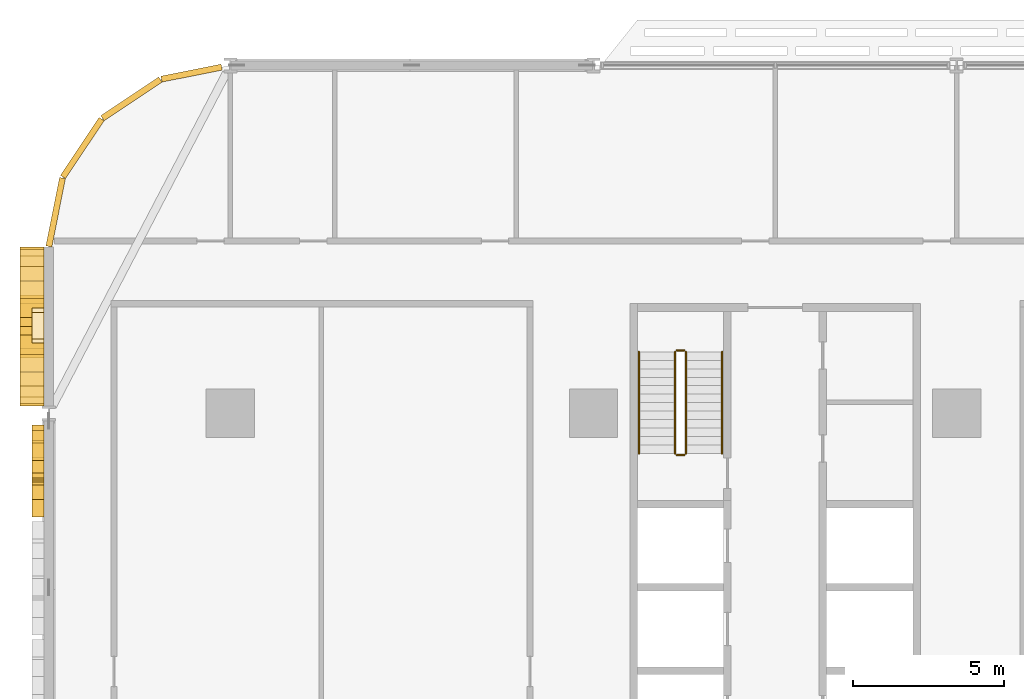
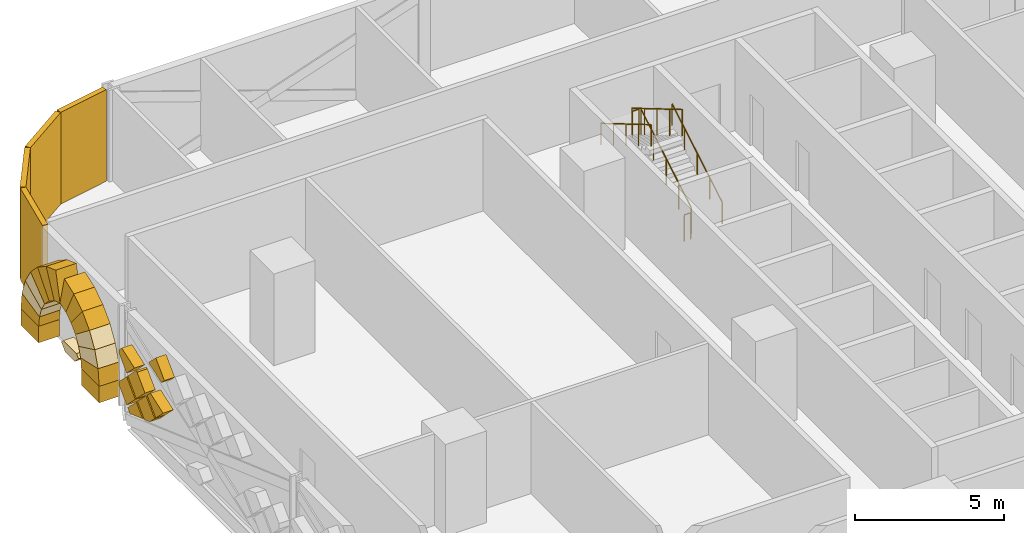
# One storey, part 25 of 29: 26 coverings, 6 railings.
"""IFC4 building model written with IfcOpenShell, lengths in metres."""

from ifc_helpers import new_model, si_unit, direction, frame, origin, origin_2d, place, context, subcontext, project, spatial, polyline, rectangle, circle, outline, extrude, material, layer, layer_set, type_object, element, save


model = new_model("IFC4")

# Units and contexts
model_context = context("Model", 3, precision=1e-05, world=origin(), true_north=direction((0.0, 1.0)))
body_context = subcontext(model_context, "Body", "Model", "MODEL_VIEW")
ifc_project = project(units=[si_unit("LENGTHUNIT", "METRE"), si_unit("AREAUNIT", "SQUARE_METRE"), si_unit("VOLUMEUNIT", "CUBIC_METRE"), si_unit("PLANEANGLEUNIT", "RADIAN"), si_unit("MASSUNIT", "GRAM", prefix="KILO")], contexts=[model_context])

# Site, building, storey
site_placement = place(None, origin())
site = spatial("IfcSite", under=ifc_project, at=site_placement, CompositionType="ELEMENT")
building_placement = place(site_placement, origin())
building = spatial("IfcBuilding", under=site, at=building_placement, Name="Mahtab Terrace Research Tower", CompositionType="ELEMENT")
storey_placement = place(building_placement, frame((0.0, 0.0, 37.300048828125)))
storey = spatial("IfcBuildingStorey", under=building, at=storey_placement, Name="L08", CompositionType="ELEMENT", Elevation=37.300048828125)

# Coverings
ifc_material_1 = material(Name="Black aluminium cladding panel", Category="aluminium")
ifc_layer_1 = layer(ifc_material_1, 0.199951171875)
ifc_layer_set_1 = layer_set([ifc_layer_1], Name="Black metal corner cladding 200")
covering_type_1 = type_object("IfcCoveringType", Name="Black metal corner cladding 200", PredefinedType="CLADDING", material=ifc_layer_set_1)
covering_1_placement = place(storey_placement, frame((-43.28173828125, 22.744873046875, 0.0), z_axis=(0.0, 0.0, 1.0), x_axis=(-0.980760981187, -0.195212442692, 0.0)))
element("IfcCovering", 1, at=covering_1_placement, inside=storey, type_object=covering_type_1, Name="Corner cladding L08 10", PredefinedType="CLADDING", context=body_context, shape_type="SweptSolid", body=[
    extrude(rectangle(XDim=2.0283203125, YDim=0.199951171875, at=origin_2d()), origin(), (0.0, 0.0, 1.0), 3.75),
])
for number, where, z_axis, x_axis, name in (
    (2, (-45.26953125, 21.89306640625, 0.0), (0.0, 0.0, 1.0), (-0.831655794326, -0.555291490808, 0.0), "Corner cladding L08 11"),
    (3, (-46.89306640625, 20.26953125, 0.0), (0.0, 0.0, 1.0), (-0.555291490808, -0.831655794326, 0.0), "Corner cladding L08 12"),
    (4, (-47.771484375, 18.14794921875, 0.0), (0.0, 0.0, 1.0), (-0.195212442692, -0.980760981187, 0.0), "Corner cladding L08 13"),
):
    element("IfcCovering", number, at=place(storey_placement, frame(where, z_axis=z_axis, x_axis=x_axis)), inside=storey, type_object=covering_type_1, Name=name, PredefinedType="CLADDING", context=body_context, shape_type="SweptSolid", body=[
        extrude(rectangle(XDim=2.30126953125, YDim=0.199951171875, at=origin_2d()), origin(), (0.0, 0.0, 1.0), 3.75),
    ])
ifc_material_2 = material(Name="Bronze anodised aluminium", Category="aluminium")
ifc_layer_2 = layer(ifc_material_2, 0.39990234375)
ifc_layer_set_2 = layer_set([ifc_layer_2], Name="Mashrabiya relief panel 400")
covering_type_2 = type_object("IfcCoveringType", Name="Mashrabiya relief panel 400", PredefinedType="CLADDING", material=ifc_layer_set_2)
covering_2_placement = place(storey_placement, frame((-48.14990234375, 14.97998046875, 0.39990234375), z_axis=(1.0, 0.0, 0.0), x_axis=(0.0, -0.707106781187, 0.707106781187)))
element("IfcCovering", 5, at=covering_2_placement, inside=storey, type_object=covering_type_2, Name="Mashrabiya lattice cell L08 W14.1", PredefinedType="CLADDING", context=body_context, shape_type="SweptSolid", body=[
    extrude(outline(polyline([(0.0, 0.0), (0.19369477746369784, 0.0), (0.820181718119455, 0.626486940655757), (0.820181718119455, 0.820181718119455), (0.44556704156310534, 0.820181718119455), (0.0, 0.37461467655634967), (0.0, 0.0)])), origin(), (0.0, 0.0, -1.0), 0.39990234375),
])
covering_3_placement = place(storey_placement, frame((-48.14990234375, 10.60107421875, 1.6298828125), z_axis=(1.0, 0.0, 0.0), x_axis=(0.0, -0.707255598772, -0.706957932274)))
element("IfcCovering", 6, at=covering_3_placement, inside=storey, type_object=covering_type_2, Name="Mashrabiya lattice cell L08 W15.1", PredefinedType="CLADDING", context=body_context, shape_type="SweptSolid", body=[
    extrude(outline(polyline([(0.0, 0.0), (0.8201817362875763, 0.0), (0.8200090664636573, 0.8203543334390104), (0.09184101544392964, 0.8202010671685369), (-0.0001532662704735177, 0.7281680510197277), (0.0, 0.0)])), origin(), (0.0, 0.0, -1.0), 0.39990234375),
])
covering_4_placement = place(storey_placement, frame((-48.14990234375, 10.60107421875, 1.77001953125), z_axis=(1.0, 0.0, 0.0), x_axis=(0.0, 0.707106781187, 0.707106781187)))
element("IfcCovering", 7, at=covering_4_placement, inside=storey, type_object=covering_type_2, Name="Mashrabiya lattice cell L08 W15.2", PredefinedType="CLADDING", context=body_context, shape_type="SweptSolid", body=[
    extrude(outline(polyline([(0.0, 0.0), (0.7281680671496235, 0.0), (0.820181718119455, 0.0920136509698315), (0.820181718119455, 0.3506186212377632), (-0.0001726334915005956, 0.7411155790121702), (0.0, 0.0)])), origin(), (0.0, 0.0, -1.0), 0.39990234375),
])
covering_5_placement = place(storey_placement, frame((-48.14990234375, 10.531005859375, 0.39990234375), z_axis=(1.0, 0.0, 0.0), x_axis=(0.0, -0.707106781187, 0.707106781187)))
element("IfcCovering", 8, at=covering_5_placement, inside=storey, type_object=covering_type_2, Name="Mashrabiya lattice cell L08 W15.3", PredefinedType="CLADDING", context=body_context, shape_type="SweptSolid", body=[
    extrude(outline(polyline([(0.0, 0.0), (0.8203543516109556, 0.0), (0.8203543516109555, 0.6011098174051657), (0.0, 0.2106128596307588), (0.0, 0.0)])), origin(), (0.0, 0.0, -1.0), 0.39990234375),
])
covering_6_placement = place(storey_placement, frame((-48.14990234375, 9.37109375, 1.699951171875), z_axis=(1.0, 0.0, 0.0), x_axis=(0.0, 0.706957932274, -0.707255598772)))
element("IfcCovering", 9, at=covering_6_placement, inside=storey, type_object=covering_type_2, Name="Mashrabiya lattice cell L08 W15.4", PredefinedType="CLADDING", context=body_context, shape_type="SweptSolid", body=[
    extrude(outline(polyline([(0.0, 0.0), (0.8201817362875763, 0.0), (0.8200090664636573, 0.8203543334390104), (0.03245509568319316, 0.8201885675011489), (-0.00015864403434978636, 0.7537178071958586), (0.0, 0.0)])), origin(), (0.0, 0.0, -1.0), 0.39990234375),
])
covering_7_placement = place(storey_placement, frame((-48.14990234375, 9.881103515625, 1.050048828125), z_axis=(1.0, 0.0, 0.0), x_axis=(0.0, -0.707255598772, 0.706957932274)))
element("IfcCovering", 10, at=covering_7_placement, inside=storey, type_object=covering_type_2, Name="Mashrabiya lattice cell L08 W15.5", PredefinedType="CLADDING", context=body_context, shape_type="SweptSolid", body=[
    extrude(outline(polyline([(0.0, 0.0), (0.8201817362875763, 0.0), (0.8205270032629295, 0.8201816636150915), (0.3621851298179065, 0.8204507698263591), (0.00013633358151177166, 0.647720845762451), (0.0, 0.0)])), origin(), (0.0, 0.0, -1.0), 0.39990234375),
])
covering_8_placement = place(storey_placement, frame((-48.14990234375, 8.65087890625, 1.119873046875), z_axis=(1.0, 0.0, 0.0), x_axis=(0.0, 0.707106781187, 0.707106781187)))
element("IfcCovering", 11, at=covering_8_placement, inside=storey, type_object=covering_type_2, Name="Mashrabiya lattice cell L08 W15.6", PredefinedType="CLADDING", context=body_context, shape_type="SweptSolid", body=[
    extrude(outline(polyline([(0.0, 0.0), (0.8203543516109556, 0.0), (0.8203543516109555, 0.3055612799561009), (0.0001726334915006511, 0.6958856042390071), (0.0, 0.0)])), origin(), (0.0, 0.0, -1.0), 0.39990234375),
])
covering_9_placement = place(storey_placement, frame((-48.14990234375, 8.65087890625, 3.579833984375), z_axis=(1.0, 0.0, 0.0), x_axis=(0.0, -0.707106781187, -0.707106781187)))
element("IfcCovering", 12, at=covering_9_placement, inside=storey, type_object=covering_type_2, Name="Mashrabiya lattice cell L08 W15.7", PredefinedType="CLADDING", context=body_context, shape_type="SweptSolid", body=[
    extrude(outline(polyline([(0.0, 0.0), (0.8200090846279543, 0.0), (0.820181718119455, 0.28847056429753926), (-0.0001726334915006511, 0.6789675220719462), (0.0, 0.0)])), origin(), (0.0, 0.0, -1.0), 0.39990234375),
])
ifc_material_3 = material(Name="Glazed ceramic tile cladding", Category="masonry")
ifc_layer_3 = layer(ifc_material_3, 0.800048828125)
ifc_layer_set_3 = layer_set([ifc_layer_3], Name="Pishtaq frame arch course 800")
covering_type_3 = type_object("IfcCoveringType", Name="Pishtaq frame arch course 800", PredefinedType="CLADDING", material=ifc_layer_set_3)
covering_10_placement = place(storey_placement, frame((-48.14990234375, 17.0, 0.671875), z_axis=(1.0, 0.0, 0.0), x_axis=(0.0, -0.110195146614, 0.993909970602)))
element("IfcCovering", 13, at=covering_10_placement, inside=storey, type_object=covering_type_3, Name="Pishtaq frame arch course 14a1", PredefinedType="CLADDING", context=body_context, shape_type="SweptSolid", body=[
    extrude(outline(polyline([(0.0, 0.0), (0.6801676314961773, -1.3877787807814457e-17), (0.5478837154732193, 1.1929849369831025), (0.13222879531472717, 1.1926434339624739), (0.0, 0.0)])), origin(), (0.0, 0.0, -1.0), 0.800048828125),
])
covering_11_placement = place(storey_placement, frame((-48.14990234375, 16.925048828125, 1.347900390625), z_axis=(1.0, 0.0, 0.0), x_axis=(0.0, -0.325381198062, 0.945582929175)))
element("IfcCovering", 14, at=covering_11_placement, inside=storey, type_object=covering_type_3, Name="Pishtaq frame arch course 14a2", PredefinedType="CLADDING", context=body_context, shape_type="SweptSolid", body=[
    extrude(outline(polyline([(0.0, 0.0), (0.6790412812444202, 0.0), (0.5471198191324367, 1.1930522503204535), (0.1324367168902943, 1.1929679837809), (0.0, 0.0)])), origin(), (0.0, 0.0, -1.0), 0.800048828125),
])
covering_12_placement = place(storey_placement, frame((-48.14990234375, 16.7041015625, 1.989990234375), z_axis=(1.0, 0.0, 0.0), x_axis=(0.0, -0.525118389187, 0.851029187124)))
element("IfcCovering", 15, at=covering_12_placement, inside=storey, type_object=covering_type_3, Name="Pishtaq frame arch course 14a3", PredefinedType="CLADDING", context=body_context, shape_type="SweptSolid", body=[
    extrude(outline(polyline([(0.0, 0.0), (0.6801851577276807, 0.0), (0.548048538751886, 1.1931815098086673), (0.13333469672581727, 1.1928951348754406), (0.0, 0.0)])), origin(), (0.0, 0.0, -1.0), 0.800048828125),
])
covering_13_placement = place(storey_placement, frame((-48.14990234375, 16.346923828125, 2.56884765625), z_axis=(1.0, 0.0, 0.0), x_axis=(0.0, -0.698795108876, 0.715321882659)))
element("IfcCovering", 16, at=covering_13_placement, inside=storey, type_object=covering_type_3, Name="Pishtaq frame arch course 14a4", PredefinedType="CLADDING", context=body_context, shape_type="SweptSolid", body=[
    extrude(outline(polyline([(0.0, 0.0), (0.6795318249848916, 0.0), (0.5475020101360037, 1.1928170207729754), (0.1324589131067181, 1.1931457738944693), (0.0, 0.0)])), origin(), (0.0, 0.0, -1.0), 0.800048828125),
])
covering_14_placement = place(storey_placement, frame((-48.14990234375, 15.8720703125, 3.054931640625), z_axis=(1.0, 0.0, 0.0), x_axis=(0.0, -0.837646339472, 0.546212971256)))
element("IfcCovering", 17, at=covering_14_placement, inside=storey, type_object=covering_type_3, Name="Pishtaq frame arch course 14a5", PredefinedType="CLADDING", context=body_context, shape_type="SweptSolid", body=[
    extrude(outline(polyline([(0.0, 0.0), (0.6793938802782071, -5.551115123125783e-17), (0.5448521588144233, 1.193235816043659), (0.13056350986106346, 1.192978410092785), (0.0, 0.0)])), origin(), (0.0, 0.0, -1.0), 0.800048828125),
])
covering_15_placement = place(storey_placement, frame((-48.14990234375, 15.302978515625, 3.426025390625), z_axis=(1.0, 0.0, 0.0), x_axis=(0.0, -0.937956433213, 0.346753124563)))
element("IfcCovering", 18, at=covering_15_placement, inside=storey, type_object=covering_type_3, Name="Pishtaq frame arch course 14a6", PredefinedType="CLADDING", context=body_context, shape_type="SweptSolid", body=[
    extrude(outline(polyline([(0.0, 0.0), (0.6801376167757879, 0.0), (0.5486239687933818, 1.1921828684344342), (0.13355171437471614, 1.193347027101249), (0.0, 0.0)])), origin(), (0.0, 0.0, -1.0), 0.800048828125),
])
covering_16_placement = place(storey_placement, frame((-48.14990234375, 12.948974609375, 0.671875), z_axis=(1.0, 0.0, 0.0), x_axis=(0.0, 0.111011707821, 0.993819098592)))
element("IfcCovering", 19, at=covering_16_placement, inside=storey, type_object=covering_type_3, Name="Pishtaq frame arch course 14b1", PredefinedType="CLADDING", context=body_context, shape_type="SweptSolid", body=[
    extrude(outline(polyline([(0.0, 0.0), (0.4156550604482948, 0.0), (0.5469587730372103, 1.1930932190601509), (-0.13320862889221355, 1.1925343919874354), (0.0, 0.0)])), origin(), (0.0, 0.0, -1.0), 0.800048828125),
])
covering_17_placement = place(storey_placement, frame((-48.14990234375, 12.9951171875, 1.0849609375), z_axis=(1.0, 0.0, 0.0), x_axis=(0.0, 0.32504685426, 0.945697912938)))
element("IfcCovering", 20, at=covering_17_placement, inside=storey, type_object=covering_type_3, Name="Pishtaq frame arch course 14b2", PredefinedType="CLADDING", context=body_context, shape_type="SweptSolid", body=[
    extrude(outline(polyline([(0.0, 0.0), (0.4146036893872751, 0.0), (0.5470263199416652, 1.1927746498773808), (-0.13201491886028338, 1.1930147339849826), (0.0, 0.0)])), origin(), (0.0, 0.0, -1.0), 0.800048828125),
])
covering_18_placement = place(storey_placement, frame((-48.14990234375, 13.1298828125, 1.47705078125), z_axis=(1.0, 0.0, 0.0), x_axis=(0.0, 0.525705930335, 0.850666371035)))
element("IfcCovering", 21, at=covering_18_placement, inside=storey, type_object=covering_type_3, Name="Pishtaq frame arch course 14b3", PredefinedType="CLADDING", context=body_context, shape_type="SweptSolid", body=[
    extrude(outline(polyline([(0.0, 0.0), (0.41471394090219044, 0.0), (0.546154939682669, 1.1930647882118013), (-0.13403005587522704, 1.1925950958288971), (0.0, 0.0)])), origin(), (0.0, 0.0, -1.0), 0.800048828125),
])
covering_19_placement = place(storey_placement, frame((-48.14990234375, 13.347900390625, 1.829833984375), z_axis=(1.0, 0.0, 0.0), x_axis=(0.0, 0.698529556251, 0.715581203668)))
element("IfcCovering", 22, at=covering_19_placement, inside=storey, type_object=covering_type_3, Name="Pishtaq frame arch course 14b4", PredefinedType="CLADDING", context=body_context, shape_type="SweptSolid", body=[
    extrude(outline(polyline([(0.0, 0.0), (0.41521372990499417, -2.7755575615628914e-17), (0.5476862709957149, 1.1927679333850807), (-0.13184550718112786, 1.193020153755766), (0.0, 0.0)])), origin(), (0.0, 0.0, -1.0), 0.800048828125),
])
covering_20_placement = place(storey_placement, frame((-48.14990234375, 13.637939453125, 2.126953125), z_axis=(1.0, 0.0, 0.0), x_axis=(0.0, 0.837985550936, 0.545692419245)))
element("IfcCovering", 23, at=covering_20_placement, inside=storey, type_object=covering_type_3, Name="Pishtaq frame arch course 14b5", PredefinedType="CLADDING", context=body_context, shape_type="SweptSolid", body=[
    extrude(outline(polyline([(0.0, 0.0), (0.4142887289191245, 0.0), (0.5480890429123778, 1.1933191792136424), (-0.13130470622962576, 1.1928970580803275), (0.0, 0.0)])), origin(), (0.0, 0.0, -1.0), 0.800048828125),
])
covering_21_placement = place(storey_placement, frame((-48.14990234375, 13.985107421875, 2.35302734375), z_axis=(1.0, 0.0, 0.0), x_axis=(0.0, 0.937266452754, 0.3486138215)))
element("IfcCovering", 24, at=covering_21_placement, inside=storey, type_object=covering_type_3, Name="Pishtaq frame arch course 14b6", PredefinedType="CLADDING", context=body_context, shape_type="SweptSolid", body=[
    extrude(outline(polyline([(0.0, 0.0), (0.4159890466357606, 0.0), (0.5489530298899377, 1.1922599744894735), (-0.131183247604382, 1.1936097113595308), (0.0, 0.0)])), origin(), (0.0, 0.0, -1.0), 0.800048828125),
])
ifc_layer_4 = layer(ifc_material_3, 0.800048828125)
ifc_layer_set_4 = layer_set([ifc_layer_4], Name="Pishtaq frame pier 800")
covering_type_4 = type_object("IfcCoveringType", Name="Pishtaq frame pier 800", PredefinedType="CLADDING", material=ifc_layer_set_4)
for number, where, z_axis, x_axis, name in (
    (25, (-48.550048828125, 16.39990234375, 0.0), (0.0, 0.0, 1.0), (0.0, -1.0, 0.0), "Pishtaq frame pier 14a"),
    (26, (-48.550048828125, 12.34912109375, 0.0), (0.0, 0.0, 1.0), (0.0, -1.0, 0.0), "Pishtaq frame pier 14b"),
):
    element("IfcCovering", number, at=place(storey_placement, frame(where, z_axis=z_axis, x_axis=x_axis)), inside=storey, type_object=covering_type_4, Name=name, PredefinedType="CLADDING", context=body_context, shape_type="SweptSolid", body=[
        extrude(rectangle(XDim=1.199951171875, YDim=0.800048828125, at=origin_2d()), origin(), (0.0, 0.0, 1.0), 0.672119140625),
    ])

# Railings
ifc_material_4 = material(Name="Stainless steel AISI 304", Category="steel")
railing_type_1 = type_object("IfcRailingType", Name="Stair guard 1100", PredefinedType="GUARDRAIL", material=ifc_material_4)
railing_1_placement = place(storey_placement, frame((-26.949951171875, 10.175048828125, 0.165283203125)))
element("IfcRailing", 27, at=railing_1_placement, inside=storey, type_object=railing_type_1, Name="L08 ST1 stair guard 1", PredefinedType="GUARDRAIL", context=body_context, shape_type="SweptSolid", body=[
    extrude(circle(Radius=0.02392578125, at=origin_2d()), frame((0.0, 0.0, 1.076171875), z_axis=(0.0, 0.861011212953, 0.508585972249), x_axis=(-1.0, 0.0, 0.0)), (0.0, 0.0, 1.0), 3.90234375),
    extrude(circle(Radius=0.02099609375, at=origin_2d()), origin(), (0.0, 0.0, 1.0), 1.052001953125),
    extrude(circle(Radius=0.02099609375, at=origin_2d()), frame((0.0, 0.83984375, 0.49609375)), (0.0, 0.0, 1.0), 1.052001953125),
    extrude(circle(Radius=0.02099609375, at=origin_2d()), frame((0.0, 1.679931640625, 0.9921875)), (0.0, 0.0, 1.0), 1.052001953125),
    extrude(circle(Radius=0.02099609375, at=origin_2d()), frame((0.0, 2.52001953125, 1.488525390625)), (0.0, 0.0, 1.0), 1.052001953125),
    extrude(circle(Radius=0.02099609375, at=origin_2d()), frame((0.0, 3.35986328125, 1.984619140625)), (0.0, 0.0, 1.0), 1.052001953125),
])
railing_2_placement = place(storey_placement, frame((-27.0, 13.5849609375, 2.14990234375)))
element("IfcRailing", 28, at=railing_2_placement, inside=storey, type_object=railing_type_1, Name="L08 ST1 stair guard 2", PredefinedType="GUARDRAIL", context=body_context, shape_type="SweptSolid", body=[
    extrude(circle(Radius=0.02392578125, at=origin_2d()), frame((0.0, 0.0, 1.076171875), z_axis=(-1.0, 0.0, 0.0), x_axis=(0.0, -1.0, 0.0)), (0.0, 0.0, 1.0), 0.25),
    extrude(circle(Radius=0.02099609375, at=origin_2d()), origin(), (0.0, 0.0, 1.0), 1.052001953125),
    extrude(circle(Radius=0.02099609375, at=origin_2d()), frame((-0.25, 0.0, 0.0)), (0.0, 0.0, 1.0), 1.052001953125),
])
railing_3_placement = place(storey_placement, frame((-27.300048828125, 13.534912109375, 2.3154296875)))
element("IfcRailing", 29, at=railing_3_placement, inside=storey, type_object=railing_type_1, Name="L08 ST1 stair guard 3", PredefinedType="GUARDRAIL", context=body_context, shape_type="SweptSolid", body=[
    extrude(circle(Radius=0.02392578125, at=origin_2d()), frame((0.0, 0.0, 1.076171875), z_axis=(0.0, -0.861011212953, 0.508585972249), x_axis=(1.0, 0.0, 0.0)), (0.0, 0.0, 1.0), 3.90234375),
    extrude(circle(Radius=0.02099609375, at=origin_2d()), origin(), (0.0, 0.0, 1.0), 1.052001953125),
    extrude(circle(Radius=0.02099609375, at=origin_2d()), frame((0.0, -0.83984375, 0.49609375)), (0.0, 0.0, 1.0), 1.052001953125),
    extrude(circle(Radius=0.02099609375, at=origin_2d()), frame((0.0, -1.679931640625, 0.9921875)), (0.0, 0.0, 1.0), 1.052001953125),
    extrude(circle(Radius=0.02099609375, at=origin_2d()), frame((0.0, -2.52001953125, 1.488525390625)), (0.0, 0.0, 1.0), 1.052001953125),
    extrude(circle(Radius=0.02099609375, at=origin_2d()), frame((0.0, -3.35986328125, 1.984619140625)), (0.0, 0.0, 1.0), 1.052001953125),
])
railing_4_placement = place(storey_placement, frame((-27.0, 10.125, 0.0)))
element("IfcRailing", 30, at=railing_4_placement, inside=storey, type_object=railing_type_1, Name="L08 ST1 stair guard 4", PredefinedType="GUARDRAIL", context=body_context, shape_type="SweptSolid", body=[
    extrude(circle(Radius=0.02392578125, at=origin_2d()), frame((0.0, 0.0, 1.076171875), z_axis=(-1.0, 0.0, 0.0), x_axis=(0.0, -1.0, 0.0)), (0.0, 0.0, 1.0), 0.25),
    extrude(circle(Radius=0.02099609375, at=origin_2d()), origin(), (0.0, 0.0, 1.0), 1.052001953125),
    extrude(circle(Radius=0.02099609375, at=origin_2d()), frame((-0.25, 0.0, 0.0)), (0.0, 0.0, 1.0), 1.052001953125),
])
railing_type_2 = type_object("IfcRailingType", Name="Stair handrail 900", PredefinedType="HANDRAIL", material=ifc_material_4)
railing_5_placement = place(storey_placement, frame((-25.75, 10.175048828125, 0.165283203125)))
element("IfcRailing", 31, at=railing_5_placement, inside=storey, type_object=railing_type_2, Name="L08 ST1 stair handrail 1", PredefinedType="HANDRAIL", context=body_context, shape_type="SweptSolid", body=[
    extrude(circle(Radius=0.02392578125, at=origin_2d()), frame((0.0, 0.0, 0.8759765625), z_axis=(0.0, 0.861011212953, 0.508585972249), x_axis=(-1.0, 0.0, 0.0)), (0.0, 0.0, 1.0), 3.90234375),
    extrude(circle(Radius=0.02099609375, at=origin_2d()), origin(), (0.0, 0.0, 1.0), 0.851806640625),
    extrude(circle(Radius=0.02099609375, at=origin_2d()), frame((0.0, 0.83984375, 0.49609375)), (0.0, 0.0, 1.0), 0.851806640625),
    extrude(circle(Radius=0.02099609375, at=origin_2d()), frame((0.0, 1.679931640625, 0.9921875)), (0.0, 0.0, 1.0), 0.851806640625),
    extrude(circle(Radius=0.02099609375, at=origin_2d()), frame((0.0, 2.52001953125, 1.488525390625)), (0.0, 0.0, 1.0), 0.851806640625),
    extrude(circle(Radius=0.02099609375, at=origin_2d()), frame((0.0, 3.35986328125, 1.984619140625)), (0.0, 0.0, 1.0), 0.851806640625),
])
railing_6_placement = place(storey_placement, frame((-28.5, 13.534912109375, 2.3154296875)))
element("IfcRailing", 32, at=railing_6_placement, inside=storey, type_object=railing_type_2, Name="L08 ST1 stair handrail 2", PredefinedType="HANDRAIL", context=body_context, shape_type="SweptSolid", body=[
    extrude(circle(Radius=0.02392578125, at=origin_2d()), frame((0.0, 0.0, 0.8759765625), z_axis=(0.0, -0.861011212953, 0.508585972249), x_axis=(1.0, 0.0, 0.0)), (0.0, 0.0, 1.0), 3.90234375),
    extrude(circle(Radius=0.02099609375, at=origin_2d()), origin(), (0.0, 0.0, 1.0), 0.851806640625),
    extrude(circle(Radius=0.02099609375, at=origin_2d()), frame((0.0, -0.83984375, 0.49609375)), (0.0, 0.0, 1.0), 0.851806640625),
    extrude(circle(Radius=0.02099609375, at=origin_2d()), frame((0.0, -1.679931640625, 0.9921875)), (0.0, 0.0, 1.0), 0.851806640625),
    extrude(circle(Radius=0.02099609375, at=origin_2d()), frame((0.0, -2.52001953125, 1.488525390625)), (0.0, 0.0, 1.0), 0.851806640625),
    extrude(circle(Radius=0.02099609375, at=origin_2d()), frame((0.0, -3.35986328125, 1.984619140625)), (0.0, 0.0, 1.0), 0.851806640625),
])

save(model, "model.ifc")
